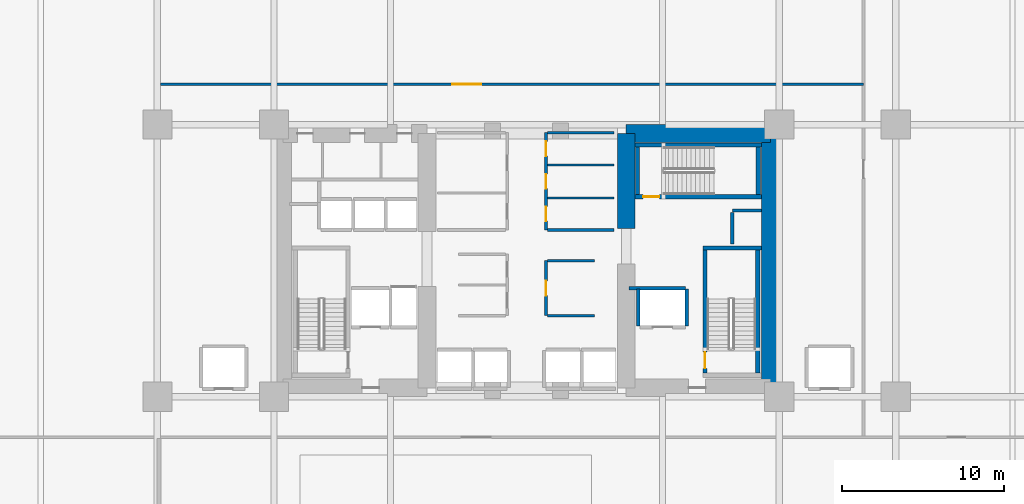
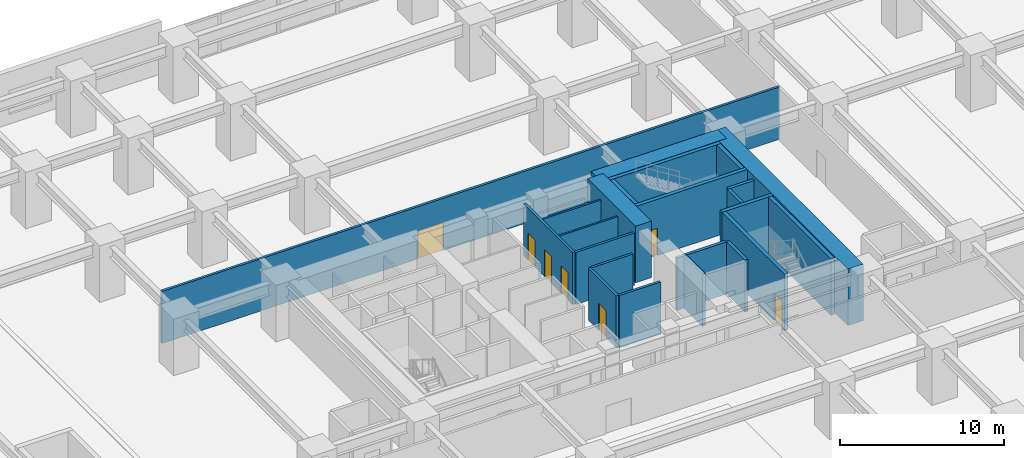
# One storey, part 12 of 22: 24 walls, 7 doors, 7 openings.
"""IFC4 building model written with IfcOpenShell, lengths in metres."""

from ifc_helpers import new_model, si_unit, direction, frame, frame_2d, origin, place, context, subcontext, project, spatial, rectangle, extrude, material, layer, layer_set, type_object, element, fill, save


model = new_model("IFC4")

# Units and contexts
model_context = context("Model", 3, precision=1e-05, world=origin(), true_north=direction((0.0, 1.0)))
body_context = subcontext(model_context, "Body", "Model", "MODEL_VIEW")
ifc_project = project(units=[si_unit("LENGTHUNIT", "METRE"), si_unit("AREAUNIT", "SQUARE_METRE"), si_unit("VOLUMEUNIT", "CUBIC_METRE"), si_unit("PLANEANGLEUNIT", "RADIAN"), si_unit("MASSUNIT", "GRAM", prefix="KILO")], contexts=[model_context])

# Site, building, storey
site_placement = place(None, origin())
site = spatial("IfcSite", under=ifc_project, at=site_placement, CompositionType="ELEMENT")
building_placement = place(site_placement, origin())
building = spatial("IfcBuilding", under=site, at=building_placement, Name="Kiyonajd Concourse Tower", CompositionType="ELEMENT")
storey_placement = place(building_placement, frame((0.0, 0.0, 4.5)))
storey = spatial("IfcBuildingStorey", under=building, at=storey_placement, Name="L02", CompositionType="ELEMENT", Elevation=4.5)

# Walls
ifc_material_1 = material(Name="Concrete C80/95", Category="concrete")
ifc_layer_1 = layer(ifc_material_1, 1.10009765625)
ifc_layer_set_1 = layer_set([ifc_layer_1], Name="Concrete C80/95")
wall_type_1 = type_object("IfcWallType", Name="WL-CORE-1100", PredefinedType="SHEAR", material=ifc_layer_set_1)
wall_1_placement = place(storey_placement, frame((54.14990234375, 38.0, 0.0), z_axis=(0.0, 0.0, 1.0), x_axis=(0.0, 1.0, 0.0)))
element("IfcWall", 1, at=wall_1_placement, inside=storey, type_object=wall_type_1, Name="L02 East Core Inner North Shear Wall", PredefinedType="SHEAR", context=body_context, shape_type="SweptSolid", body=[
    extrude(rectangle(XDim=5.85009765625, YDim=1.10009765625, at=frame_2d((2.925048828125, 0.0))), origin(), (0.0, 0.0, 1.0), 4.199951171875),
])
wall_2_placement = place(storey_placement, frame((63.050048828125, 27.60009765625, 0.0), z_axis=(0.0, 0.0, 1.0), x_axis=(0.0, 1.0, 0.0)))
element("IfcWall", 2, at=wall_2_placement, inside=storey, type_object=wall_type_1, Name="L02 East Core Outer Shear Wall", PredefinedType="SHEAR", context=body_context, shape_type="SweptSolid", body=[
    extrude(rectangle(XDim=16.7998046875, YDim=1.10009765625, at=frame_2d((8.39990234375, 0.0))), origin(), (0.0, 0.0, 1.0), 4.199951171875),
])
wall_3_placement = place(storey_placement, frame((54.14990234375, 43.85009765625, 0.0), z_axis=(0.0, 0.0, 1.0), x_axis=(1.0, 0.0, 0.0)))
element("IfcWall", 3, at=wall_3_placement, inside=storey, type_object=wall_type_1, Name="L02 East Core North Shear Wall", PredefinedType="SHEAR", context=body_context, shape_type="SweptSolid", body=[
    extrude(rectangle(XDim=8.900146484375, YDim=1.10009765625, at=frame_2d((4.4501953125, 0.0))), origin(), (0.0, 0.0, 1.0), 4.199951171875),
])
ifc_material_2 = material(Name="Gypsum Board on Cold-Formed Steel Stud", Category="steel")
ifc_layer_2 = layer(ifc_material_2, 0.125)
ifc_layer_set_2 = layer_set([ifc_layer_2], Name="Gypsum Board on Cold-Formed Steel Stud")
wall_type_2 = type_object("IfcWallType", Name="WL-PART-125", PredefinedType="PARTITIONING", material=ifc_layer_set_2)
for number, where, z_axis, x_axis, name in (
    (4, (49.287109375, 39.8798828125, 0.0), (0.0, 0.0, 1.0), (1.0, 0.0, 0.0), "L02 Interior Partition Wall"),
    (5, (49.287109375, 41.919921875, 0.0), (0.0, 0.0, 1.0), (1.0, 0.0, 0.0), "L02 Interior Partition Wall"),
):
    element("IfcWall", number, at=place(storey_placement, frame(where, z_axis=z_axis, x_axis=x_axis)), inside=storey, type_object=wall_type_2, Name=name, PredefinedType="PARTITIONING", context=body_context, shape_type="SweptSolid", body=[
        extrude(rectangle(XDim=4.11279296875, YDim=0.125, at=frame_2d((2.056396484375, 0.0))), origin(), (0.0, 0.0, 1.0), 3.8798828125),
    ])
ifc_layer_3 = layer(ifc_material_2, 0.2099609375)
ifc_layer_set_3 = layer_set([ifc_layer_3], Name="Gypsum Board on Cold-Formed Steel Stud")
wall_type_3 = type_object("IfcWallType", Name="WL-SHAFT-210", PredefinedType="PARTITIONING", material=ifc_layer_set_3)
wall_4_placement = place(storey_placement, frame((60.719970703125, 39.10009765625, 0.0), z_axis=(0.0, 0.0, 1.0), x_axis=(1.0, 0.0, 0.0)))
element("IfcWall", 6, at=wall_4_placement, inside=storey, type_object=wall_type_3, Name="L02 Shaft Enclosure Wall", PredefinedType="PARTITIONING", context=body_context, shape_type="SweptSolid", body=[
    extrude(rectangle(XDim=1.800048828125, YDim=0.2099609375, at=frame_2d((0.89990234375, 0.0))), origin(), (0.0, 0.0, 1.0), 3.8798828125),
])
wall_5_placement = place(storey_placement, frame((60.699951171875, 37.02001953125, 0.0), z_axis=(0.0, 0.0, 1.0), x_axis=(0.0, 1.0, 0.0)))
element("IfcWall", 7, at=wall_5_placement, inside=storey, type_object=wall_type_3, Name="L02 Shaft Enclosure Wall", PredefinedType="PARTITIONING", context=body_context, shape_type="SweptSolid", body=[
    extrude(rectangle(XDim=1.9599609375, YDim=0.2099609375, at=frame_2d((0.97998046875, 0.0))), origin(), (0.0, 0.0, 1.0), 3.8798828125),
])
wall_6_placement = place(storey_placement, frame((54.320068359375, 34.300048828125, 0.0), z_axis=(0.0, 0.0, 1.0), x_axis=(1.0, 0.0, 0.0)))
element("IfcWall", 8, at=wall_6_placement, inside=storey, type_object=wall_type_3, Name="L02 Shaft Enclosure Wall", PredefinedType="PARTITIONING", context=body_context, shape_type="SweptSolid", body=[
    extrude(rectangle(XDim=3.47998046875, YDim=0.2099609375, at=frame_2d((1.739990234375, 0.0))), origin(), (0.0, 0.0, 1.0), 3.8798828125),
])
for number, where, z_axis, x_axis, name in (
    (9, (54.89990234375, 31.9599609375, 0.0), (0.0, 0.0, 1.0), (0.0, 1.0, 0.0), "L02 Shaft Enclosure Wall"),
    (10, (57.89990234375, 31.9599609375, 0.0), (0.0, 0.0, 1.0), (0.0, 1.0, 0.0), "L02 Shaft Enclosure Wall"),
):
    element("IfcWall", number, at=place(storey_placement, frame(where, z_axis=z_axis, x_axis=x_axis)), inside=storey, type_object=wall_type_3, Name=name, PredefinedType="PARTITIONING", context=body_context, shape_type="SweptSolid", body=[
        extrude(rectangle(XDim=2.280029296875, YDim=0.2099609375, at=frame_2d((1.14013671875, 0.0))), origin(), (0.0, 0.0, 1.0), 3.8798828125),
    ])

# Wall, opening, door
ifc_layer_4 = layer(ifc_material_2, 0.169921875)
ifc_layer_set_4 = layer_set([ifc_layer_4], Name="Gypsum Board on Cold-Formed Steel Stud")
wall_type_4 = type_object("IfcWallType", Name="WL-SMK-170", PredefinedType="PARTITIONING", material=ifc_layer_set_4)
wall_7_placement = place(storey_placement, frame((49.199951171875, 32.60009765625, 0.0), z_axis=(0.0, 0.0, 1.0), x_axis=(0.0, 1.0, 0.0)))
wall_7 = element("IfcWall", 11, at=wall_7_placement, inside=storey, type_object=wall_type_4, Name="L02 Interior Partition Wall", PredefinedType="PARTITIONING", context=body_context, shape_type="SweptSolid", body=[
    extrude(rectangle(XDim=3.39990234375, YDim=0.169921875, at=frame_2d((1.699951171875, 0.0))), origin(), (0.0, 0.0, 1.0), 3.8798828125),
])
opening_1_placement = place(wall_7_placement, frame((1.25, 0.0, 0.0)))
opening_1 = element("IfcOpeningElement", 12, at=opening_1_placement, cuts=wall_7, Name="Opening DI2", PredefinedType="OPENING", context=body_context, shape_type="SweptSolid", body=[
    extrude(rectangle(XDim=0.89990234375, YDim=2.02001953125, at=frame_2d((0.449951171875, 1.010009765625))), frame((0.0, 0.094970703125, 0.0), z_axis=(0.0, -1.0, 0.0), x_axis=(1.0, 0.0, 0.0)), (0.0, 0.0, 1.0), 0.18994140625),
])
ifc_material_3 = material(Name="Natural Oak Acoustic Timber Veneer", Category="wood")
door_type_1 = type_object("IfcDoorType", Name="DR-INT-900", OperationType="NOTDEFINED", PredefinedType="DOOR", material=ifc_material_3)
door_1_placement = place(opening_1_placement, origin())
door_1 = element("IfcDoor", 13, at=door_1_placement, inside=storey, type_object=door_type_1, Name="L02 Interior Door", OperationType="SINGLE_SWING_LEFT", OverallHeight=2.02001953125, OverallWidth=0.89990234375, PredefinedType="DOOR", context=body_context, shape_type="SweptSolid", body=[
    extrude(rectangle(XDim=0.89990234375, YDim=2.02001953125, at=frame_2d((0.449951171875, 1.010009765625))), frame((0.0, 0.02490234375, 0.0), z_axis=(0.0, -1.0, 0.0), x_axis=(1.0, 0.0, 0.0)), (0.0, 0.0, 1.0), 0.050048828125),
])
fill(opening_1, door_1)

# Walls
for number, where, z_axis, x_axis, name in (
    (14, (49.287109375, 32.60009765625, 0.0), (0.0, 0.0, 1.0), (1.0, 0.0, 0.0), "L02 Interior Partition Wall"),
    (15, (49.287109375, 36.0, 0.0), (0.0, 0.0, 1.0), (1.0, 0.0, 0.0), "L02 Interior Partition Wall"),
):
    element("IfcWall", number, at=place(storey_placement, frame(where, z_axis=z_axis, x_axis=x_axis)), inside=storey, type_object=wall_type_4, Name=name, PredefinedType="PARTITIONING", context=body_context, shape_type="SweptSolid", body=[
        extrude(rectangle(XDim=2.912841796875, YDim=0.169921875, at=frame_2d((1.45654296875, 0.0))), origin(), (0.0, 0.0, 1.0), 3.8798828125),
    ])

# Wall, openings, doors
wall_8_placement = place(storey_placement, frame((49.199951171875, 37.89990234375, 0.0), z_axis=(0.0, 0.0, 1.0), x_axis=(0.0, 1.0, 0.0)))
wall_8 = element("IfcWall", 16, at=wall_8_placement, inside=storey, type_object=wall_type_4, Name="L02 Interior Partition Wall", PredefinedType="PARTITIONING", context=body_context, shape_type="SweptSolid", body=[
    extrude(rectangle(XDim=6.0, YDim=0.169921875, at=frame_2d((3.0, 0.0))), origin(), (0.0, 0.0, 1.0), 3.8798828125),
])
opening_2_placement = place(wall_8_placement, frame((0.5400390625, 0.0, 0.0)))
opening_2 = element("IfcOpeningElement", 17, at=opening_2_placement, cuts=wall_8, Name="Opening DI2", PredefinedType="OPENING", context=body_context, shape_type="SweptSolid", body=[
    extrude(rectangle(XDim=0.89990234375, YDim=2.02001953125, at=frame_2d((0.449951171875, 1.010009765625))), frame((0.0, 0.094970703125, 0.0), z_axis=(0.0, -1.0, 0.0), x_axis=(1.0, 0.0, 0.0)), (0.0, 0.0, 1.0), 0.18994140625),
])
opening_3_placement = place(wall_8_placement, frame((2.550048828125, 0.0, 0.0)))
opening_3 = element("IfcOpeningElement", 18, at=opening_3_placement, cuts=wall_8, Name="Opening DI2", PredefinedType="OPENING", context=body_context, shape_type="SweptSolid", body=[
    extrude(rectangle(XDim=0.89990234375, YDim=2.02001953125, at=frame_2d((0.449951171875, 1.010009765625))), frame((0.0, 0.094970703125, 0.0), z_axis=(0.0, -1.0, 0.0), x_axis=(1.0, 0.0, 0.0)), (0.0, 0.0, 1.0), 0.18994140625),
])
opening_4_placement = place(wall_8_placement, frame((4.56005859375, 0.0, 0.0)))
opening_4 = element("IfcOpeningElement", 19, at=opening_4_placement, cuts=wall_8, Name="Opening DI2", PredefinedType="OPENING", context=body_context, shape_type="SweptSolid", body=[
    extrude(rectangle(XDim=0.89990234375, YDim=2.02001953125, at=frame_2d((0.449951171875, 1.010009765625))), frame((0.0, 0.094970703125, 0.0), z_axis=(0.0, -1.0, 0.0), x_axis=(1.0, 0.0, 0.0)), (0.0, 0.0, 1.0), 0.18994140625),
])
door_2_placement = place(opening_2_placement, origin())
door_2 = element("IfcDoor", 20, at=door_2_placement, inside=storey, type_object=door_type_1, Name="L02 Interior Door", OperationType="SINGLE_SWING_RIGHT", OverallHeight=2.02001953125, OverallWidth=0.89990234375, PredefinedType="DOOR", context=body_context, shape_type="SweptSolid", body=[
    extrude(rectangle(XDim=0.89990234375, YDim=2.02001953125, at=frame_2d((0.449951171875, 1.010009765625))), frame((0.0, 0.02490234375, 0.0), z_axis=(0.0, -1.0, 0.0), x_axis=(1.0, 0.0, 0.0)), (0.0, 0.0, 1.0), 0.050048828125),
])
fill(opening_2, door_2)
door_3_placement = place(opening_3_placement, origin())
door_3 = element("IfcDoor", 21, at=door_3_placement, inside=storey, type_object=door_type_1, Name="L02 Interior Door", OperationType="SINGLE_SWING_LEFT", OverallHeight=2.02001953125, OverallWidth=0.89990234375, PredefinedType="DOOR", context=body_context, shape_type="SweptSolid", body=[
    extrude(rectangle(XDim=0.89990234375, YDim=2.02001953125, at=frame_2d((0.449951171875, 1.010009765625))), frame((0.0, 0.02490234375, 0.0), z_axis=(0.0, -1.0, 0.0), x_axis=(1.0, 0.0, 0.0)), (0.0, 0.0, 1.0), 0.050048828125),
])
fill(opening_3, door_3)
door_4_placement = place(opening_4_placement, origin())
door_4 = element("IfcDoor", 22, at=door_4_placement, inside=storey, type_object=door_type_1, Name="L02 Interior Door", OperationType="SINGLE_SWING_RIGHT", OverallHeight=2.02001953125, OverallWidth=0.89990234375, PredefinedType="DOOR", context=body_context, shape_type="SweptSolid", body=[
    extrude(rectangle(XDim=0.89990234375, YDim=2.02001953125, at=frame_2d((0.449951171875, 1.010009765625))), frame((0.0, 0.02490234375, 0.0), z_axis=(0.0, -1.0, 0.0), x_axis=(1.0, 0.0, 0.0)), (0.0, 0.0, 1.0), 0.050048828125),
])
fill(opening_4, door_4)

# Walls
wall_9_placement = place(storey_placement, frame((49.287109375, 37.89990234375, 0.0), z_axis=(0.0, 0.0, 1.0), x_axis=(1.0, 0.0, 0.0)))
element("IfcWall", 23, at=wall_9_placement, inside=storey, type_object=wall_type_4, Name="L02 Interior Partition Wall", PredefinedType="PARTITIONING", context=body_context, shape_type="SweptSolid", body=[
    extrude(rectangle(XDim=4.11279296875, YDim=0.169921875, at=frame_2d((2.056396484375, 0.0))), origin(), (0.0, 0.0, 1.0), 3.8798828125),
])
wall_10_placement = place(storey_placement, frame((49.287109375, 43.89990234375, 0.0), z_axis=(0.0, 0.0, 1.0), x_axis=(1.0, 0.0, 0.0)))
element("IfcWall", 24, at=wall_10_placement, inside=storey, type_object=wall_type_4, Name="L02 Interior Partition Wall", PredefinedType="PARTITIONING", context=body_context, shape_type="SweptSolid", body=[
    extrude(rectangle(XDim=4.11279296875, YDim=0.169921875, at=frame_2d((2.056396484375, 0.0))), origin(), (0.0, 0.0, 1.0), 2.764892578125),
])

# Wall, opening, door
wall_11_placement = place(storey_placement, frame((25.39990234375, 46.89990234375, 0.0), z_axis=(0.0, 0.0, 1.0), x_axis=(1.0, 0.0, 0.0)))
wall_11 = element("IfcWall", 25, at=wall_11_placement, inside=storey, type_object=wall_type_4, Name="L02 Interior Partition Wall", PredefinedType="PARTITIONING", context=body_context, shape_type="SweptSolid", body=[
    extrude(rectangle(XDim=43.400146484375, YDim=0.169921875, at=frame_2d((21.7001953125, 0.0))), origin(), (0.0, 0.0, 1.0), 3.8798828125),
])
opening_5_placement = place(wall_11_placement, frame((18.0, 0.0, 0.0)))
opening_5 = element("IfcOpeningElement", 26, at=opening_5_placement, cuts=wall_11, Name="Opening DI3", PredefinedType="OPENING", context=body_context, shape_type="SweptSolid", body=[
    extrude(rectangle(XDim=1.800048828125, YDim=2.06005859375, at=frame_2d((0.89990234375, 1.030029296875))), frame((0.0, 0.094970703125, 0.0), z_axis=(0.0, -1.0, 0.0), x_axis=(1.0, 0.0, 0.0)), (0.0, 0.0, 1.0), 0.18994140625),
])
ifc_material_4 = material(Name="Brushed Stainless Steel Cab Assembly", Category="steel")
door_type_2 = type_object("IfcDoorType", Name="DR-PAIR-1800", OperationType="DOUBLE_DOOR_SINGLE_SWING", PredefinedType="DOOR", material=ifc_material_4)
door_5_placement = place(opening_5_placement, origin())
door_5 = element("IfcDoor", 27, at=door_5_placement, inside=storey, type_object=door_type_2, Name="L02 Interior Door", OperationType="DOUBLE_DOOR_SINGLE_SWING", OverallHeight=2.06005859375, OverallWidth=1.800048828125, PredefinedType="DOOR", context=body_context, shape_type="SweptSolid", body=[
    extrude(rectangle(XDim=1.800048828125, YDim=2.06005859375, at=frame_2d((0.89990234375, 1.030029296875))), frame((0.0, 0.02490234375, 0.0), z_axis=(0.0, -1.0, 0.0), x_axis=(1.0, 0.0, 0.0)), (0.0, 0.0, 1.0), 0.050048828125),
])
fill(opening_5, door_5)

# Wall
ifc_material_5 = material(Name="Concrete C50/60", Category="concrete")
ifc_layer_5 = layer(ifc_material_5, 0.260009765625)
ifc_layer_set_5 = layer_set([ifc_layer_5], Name="Concrete C50/60")
wall_type_5 = type_object("IfcWallType", Name="WL-STAIR-260", PredefinedType="SHEAR", material=ifc_layer_set_5)
wall_12_placement = place(storey_placement, frame((58.889892578125, 36.780029296875, 0.0), z_axis=(0.0, 0.0, 1.0), x_axis=(1.0, 0.0, 0.0)))
element("IfcWall", 28, at=wall_12_placement, inside=storey, type_object=wall_type_5, Name="L02 Stair ST2 Structural North Wall", PredefinedType="SHEAR", context=body_context, shape_type="SweptSolid", body=[
    extrude(rectangle(XDim=3.610107421875, YDim=0.260009765625, at=frame_2d((1.80517578125, 0.0))), origin(), (0.0, 0.0, 1.0), 4.199951171875),
])

# Wall, opening, door
wall_13_placement = place(storey_placement, frame((59.02001953125, 29.050048828125, 0.0), z_axis=(0.0, 0.0, 1.0), x_axis=(0.0, 1.0, 0.0)))
wall_13 = element("IfcWall", 29, at=wall_13_placement, inside=storey, type_object=wall_type_5, Name="L02 Stair ST2 Structural West Wall", PredefinedType="SHEAR", context=body_context, shape_type="SweptSolid", body=[
    extrude(rectangle(XDim=7.599853515625, YDim=0.260009765625, at=frame_2d((3.7998046875, 0.0))), origin(), (0.0, 0.0, 1.0), 4.199951171875),
])
opening_6_placement = place(wall_13_placement, frame((0.300048828125, 0.0, 0.0)))
opening_6 = element("IfcOpeningElement", 30, at=opening_6_placement, cuts=wall_13, Name="Opening DF1", PredefinedType="OPENING", context=body_context, shape_type="SweptSolid", body=[
    extrude(rectangle(XDim=1.0, YDim=2.0400390625, at=frame_2d((0.5, 1.02001953125))), frame((0.0, 0.139892578125, 0.0), z_axis=(0.0, -1.0, 0.0), x_axis=(1.0, 0.0, 0.0)), (0.0, 0.0, 1.0), 0.280029296875),
])
door_type_3 = type_object("IfcDoorType", Name="DR-FD90-1000", OperationType="NOTDEFINED", PredefinedType="DOOR", material=ifc_material_4)
door_6_placement = place(opening_6_placement, origin())
door_6 = element("IfcDoor", 31, at=door_6_placement, inside=storey, type_object=door_type_3, Name="L02 Stair ST2 FSAE Door", OperationType="SINGLE_SWING_RIGHT", OverallHeight=2.0400390625, OverallWidth=1.0, PredefinedType="DOOR", context=body_context, shape_type="SweptSolid", body=[
    extrude(rectangle(XDim=1.0, YDim=2.0400390625, at=frame_2d((0.5, 1.02001953125))), frame((0.0, 0.02490234375, 0.0), z_axis=(0.0, -1.0, 0.0), x_axis=(1.0, 0.0, 0.0)), (0.0, 0.0, 1.0), 0.050048828125),
])
fill(opening_6, door_6)

# Wall
wall_14_placement = place(storey_placement, frame((62.280029296875, 29.050048828125, 0.0), z_axis=(0.0, 0.0, 1.0), x_axis=(0.0, 1.0, 0.0)))
element("IfcWall", 32, at=wall_14_placement, inside=storey, type_object=wall_type_5, Name="L02 Stair ST2 Structural East Wall", PredefinedType="SHEAR", context=body_context, shape_type="SweptSolid", body=[
    extrude(rectangle(XDim=7.599853515625, YDim=0.260009765625, at=frame_2d((3.7998046875, 0.0))), origin(), (0.0, 0.0, 1.0), 4.199951171875),
])

# Wall, opening, door
wall_15_placement = place(storey_placement, frame((54.699951171875, 39.949951171875, 0.0), z_axis=(0.0, 0.0, 1.0), x_axis=(1.0, 0.0, 0.0)))
wall_15 = element("IfcWall", 33, at=wall_15_placement, inside=storey, type_object=wall_type_5, Name="L02 Stair ST3 Structural South Wall", PredefinedType="SHEAR", context=body_context, shape_type="SweptSolid", body=[
    extrude(rectangle(XDim=7.800048828125, YDim=0.260009765625, at=frame_2d((3.89990234375, 0.0))), origin(), (0.0, 0.0, 1.0), 4.199951171875),
])
opening_7_placement = place(wall_15_placement, frame((0.5, 0.0, 0.0)))
opening_7 = element("IfcOpeningElement", 34, at=opening_7_placement, cuts=wall_15, Name="Opening DF1", PredefinedType="OPENING", context=body_context, shape_type="SweptSolid", body=[
    extrude(rectangle(XDim=1.0, YDim=2.0400390625, at=frame_2d((0.5, 1.02001953125))), frame((0.0, 0.139892578125, 0.0), z_axis=(0.0, -1.0, 0.0), x_axis=(1.0, 0.0, 0.0)), (0.0, 0.0, 1.0), 0.280029296875),
])
door_7_placement = place(opening_7_placement, origin())
door_7 = element("IfcDoor", 35, at=door_7_placement, inside=storey, type_object=door_type_3, Name="L02 Stair ST3 Enclosure Door", OperationType="SINGLE_SWING_LEFT", OverallHeight=2.0400390625, OverallWidth=1.0, PredefinedType="DOOR", context=body_context, shape_type="SweptSolid", body=[
    extrude(rectangle(XDim=1.0, YDim=2.0400390625, at=frame_2d((0.5, 1.02001953125))), frame((0.0, 0.02490234375, 0.0), z_axis=(0.0, -1.0, 0.0), x_axis=(1.0, 0.0, 0.0)), (0.0, 0.0, 1.0), 0.050048828125),
])
fill(opening_7, door_7)

# Walls
wall_16_placement = place(storey_placement, frame((54.699951171875, 43.14990234375, 0.0), z_axis=(0.0, 0.0, 1.0), x_axis=(1.0, 0.0, 0.0)))
element("IfcWall", 36, at=wall_16_placement, inside=storey, type_object=wall_type_5, Name="L02 Stair ST3 Structural North Wall", PredefinedType="SHEAR", context=body_context, shape_type="SweptSolid", body=[
    extrude(rectangle(XDim=7.800048828125, YDim=0.260009765625, at=frame_2d((3.89990234375, 0.0))), origin(), (0.0, 0.0, 1.0), 4.199951171875),
])
for number, where, z_axis, x_axis, name in (
    (37, (54.85009765625, 40.080078125, 0.0), (0.0, 0.0, 1.0), (0.0, 1.0, 0.0), "L02 Stair ST3 Structural West Wall"),
    (38, (62.31005859375, 40.080078125, 0.0), (0.0, 0.0, 1.0), (0.0, 1.0, 0.0), "L02 Stair ST3 Structural East Wall"),
):
    element("IfcWall", number, at=place(storey_placement, frame(where, z_axis=z_axis, x_axis=x_axis)), inside=storey, type_object=wall_type_5, Name=name, PredefinedType="SHEAR", context=body_context, shape_type="SweptSolid", body=[
        extrude(rectangle(XDim=2.93994140625, YDim=0.260009765625, at=frame_2d((1.469970703125, 0.0))), origin(), (0.0, 0.0, 1.0), 4.199951171875),
    ])

save(model, "model.ifc")
